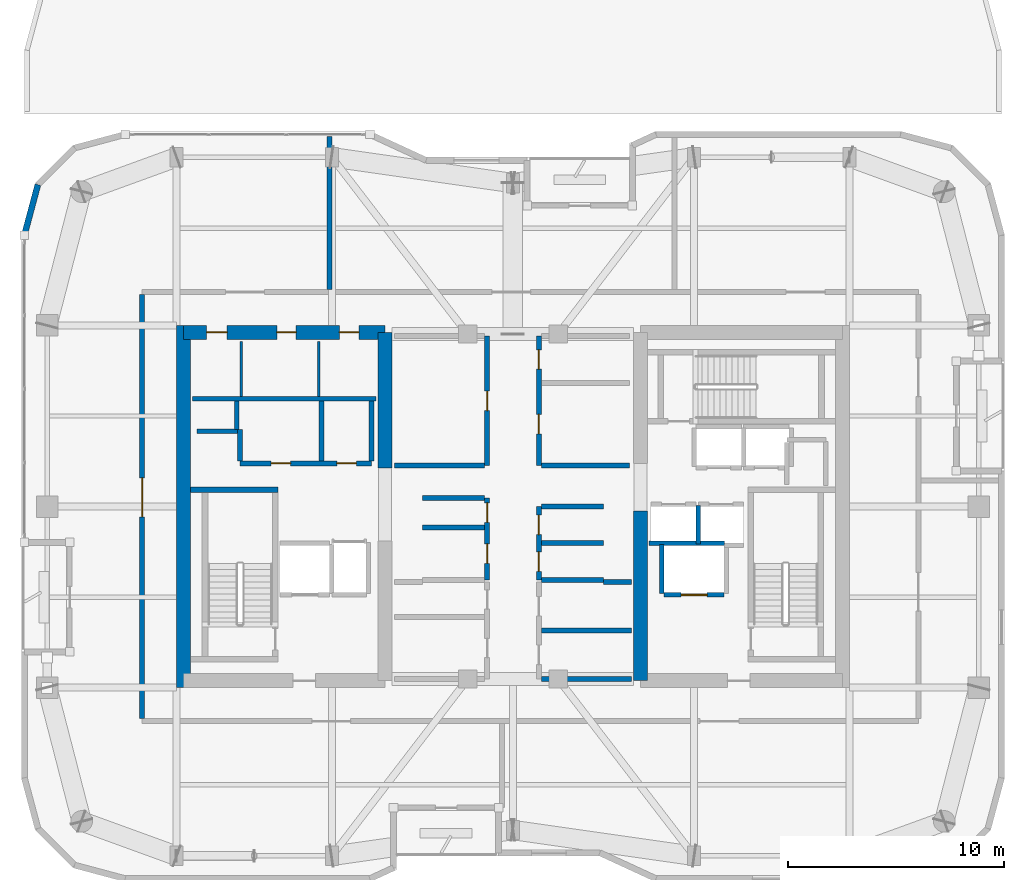
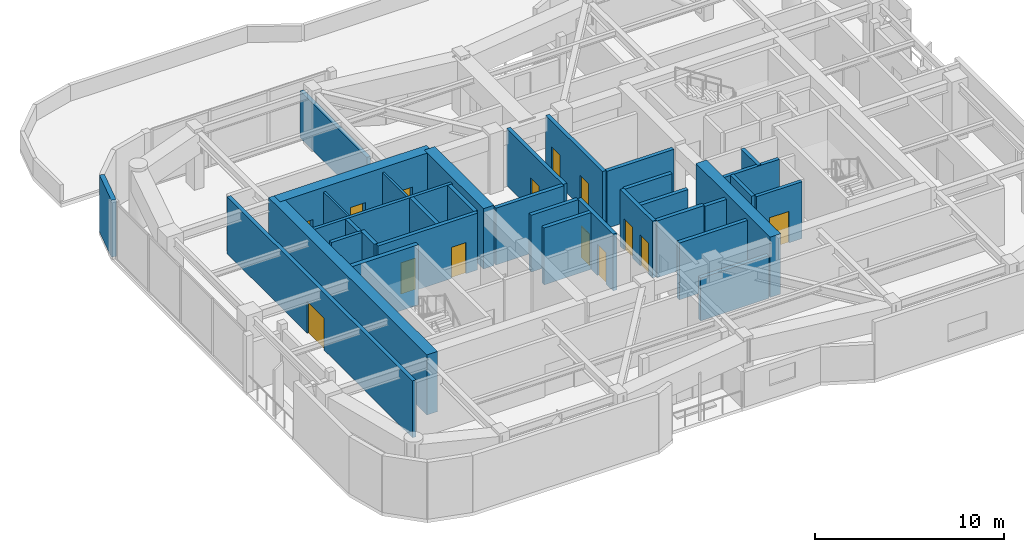
# One storey, part 11 of 16: 35 walls, 14 doors, 14 openings.
"""IFC4 building model written with IfcOpenShell, lengths in metres."""

from ifc_helpers import new_model, si_unit, direction, frame, frame_2d, origin, place, context, subcontext, project, spatial, rectangle, extrude, material, layer, layer_set, type_object, element, fill, save


model = new_model("IFC4")

# Units and contexts
model_context = context("Model", 3, precision=1e-05, world=origin(), true_north=direction((0.0, 1.0)))
body_context = subcontext(model_context, "Body", "Model", "MODEL_VIEW")
ifc_project = project(units=[si_unit("LENGTHUNIT", "METRE"), si_unit("AREAUNIT", "SQUARE_METRE"), si_unit("VOLUMEUNIT", "CUBIC_METRE"), si_unit("PLANEANGLEUNIT", "RADIAN"), si_unit("MASSUNIT", "GRAM", prefix="KILO")], contexts=[model_context])

# Site, building, storey
site_placement = place(None, origin())
site = spatial("IfcSite", under=ifc_project, at=site_placement, CompositionType="ELEMENT")
building_placement = place(site_placement, origin())
building = spatial("IfcBuilding", under=site, at=building_placement, Name="Kiyonajd Concourse Tower", CompositionType="ELEMENT")
storey_placement = place(building_placement, frame((0.0, 0.0, 255.0)))
storey = spatial("IfcBuildingStorey", under=building, at=storey_placement, Name="L64", CompositionType="ELEMENT", Elevation=255.0)

# Walls
ifc_material_1 = material(Name="Concrete C60/75", Category="concrete")
ifc_layer_1 = layer(ifc_material_1, 0.64990234375)
ifc_layer_set_1 = layer_set([ifc_layer_1], Name="Concrete C60/75")
wall_type_1 = type_object("IfcWallType", Name="WL-CORE-650", PredefinedType="SHEAR", material=ifc_layer_set_1)
wall_1_placement = place(storey_placement, frame((32.72509765625, 27.60009765625, 0.0), z_axis=(0.0, 0.0, 1.0), x_axis=(0.0, 1.0, 0.0)))
element("IfcWall", 1, at=wall_1_placement, inside=storey, type_object=wall_type_1, Name="L64 West Core Outer Shear Wall", PredefinedType="SHEAR", context=body_context, shape_type="SweptSolid", body=[
    extrude(rectangle(XDim=16.7998046875, YDim=0.64990234375, at=frame_2d((8.39990234375, 0.0))), origin(), (0.0, 0.0, 1.0), 3.89990234375),
])
wall_2_placement = place(storey_placement, frame((42.074951171875, 37.800048828125, 0.0), z_axis=(0.0, 0.0, 1.0), x_axis=(0.0, 1.0, 0.0)))
element("IfcWall", 2, at=wall_2_placement, inside=storey, type_object=wall_type_1, Name="L64 West Core Inner North Shear Wall", PredefinedType="SHEAR", context=body_context, shape_type="SweptSolid", body=[
    extrude(rectangle(XDim=6.27490234375, YDim=0.64990234375, at=frame_2d((3.137451171875, 0.0))), origin(), (0.0, 0.0, 1.0), 3.89990234375),
])

# Wall, openings, doors
wall_3_placement = place(storey_placement, frame((32.72509765625, 44.074951171875, 0.0), z_axis=(0.0, 0.0, 1.0), x_axis=(1.0, 0.0, 0.0)))
wall_3 = element("IfcWall", 3, at=wall_3_placement, inside=storey, type_object=wall_type_1, Name="L64 West Core North Shear Wall", PredefinedType="SHEAR", context=body_context, shape_type="SweptSolid", body=[
    extrude(rectangle(XDim=9.349853515625, YDim=0.64990234375, at=frame_2d((4.6748046875, 0.0))), origin(), (0.0, 0.0, 1.0), 3.89990234375),
])
opening_1_placement = place(wall_3_placement, frame((1.074951171875, 0.0, 0.0)))
opening_1 = element("IfcOpeningElement", 4, at=opening_1_placement, cuts=wall_3, Name="Opening DI1", PredefinedType="OPENING", context=body_context, shape_type="SweptSolid", body=[
    extrude(rectangle(XDim=0.949951171875, YDim=2.0400390625, at=frame_2d((0.47509765625, 1.02001953125))), frame((0.0, 0.3349609375, 0.0), z_axis=(0.0, -1.0, 0.0), x_axis=(1.0, 0.0, 0.0)), (0.0, 0.0, 1.0), 0.669921875),
])
opening_2_placement = place(wall_3_placement, frame((4.324951171875, 0.0, 0.0)))
opening_2 = element("IfcOpeningElement", 5, at=opening_2_placement, cuts=wall_3, Name="Opening DI2", PredefinedType="OPENING", context=body_context, shape_type="SweptSolid", body=[
    extrude(rectangle(XDim=0.89990234375, YDim=2.02001953125, at=frame_2d((0.449951171875, 1.010009765625))), frame((0.0, 0.3349609375, 0.0), z_axis=(0.0, -1.0, 0.0), x_axis=(1.0, 0.0, 0.0)), (0.0, 0.0, 1.0), 0.669921875),
])
opening_3_placement = place(wall_3_placement, frame((7.22509765625, 0.0, 0.0)))
opening_3 = element("IfcOpeningElement", 6, at=opening_3_placement, cuts=wall_3, Name="Opening DI2", PredefinedType="OPENING", context=body_context, shape_type="SweptSolid", body=[
    extrude(rectangle(XDim=0.89990234375, YDim=2.02001953125, at=frame_2d((0.449951171875, 1.010009765625))), frame((0.0, 0.3349609375, 0.0), z_axis=(0.0, -1.0, 0.0), x_axis=(1.0, 0.0, 0.0)), (0.0, 0.0, 1.0), 0.669921875),
])
ifc_material_2 = material(Name="Natural Oak Acoustic Timber Veneer", Category="wood")
door_type_1 = type_object("IfcDoorType", Name="DR-INT-900", OperationType="NOTDEFINED", PredefinedType="DOOR", material=ifc_material_2)
door_1_placement = place(opening_2_placement, origin())
door_1 = element("IfcDoor", 7, at=door_1_placement, inside=storey, type_object=door_type_1, Name="L64 Male Restroom Door", OperationType="SINGLE_SWING_RIGHT", OverallHeight=2.02001953125, OverallWidth=0.89990234375, PredefinedType="DOOR", context=body_context, shape_type="SweptSolid", body=[
    extrude(rectangle(XDim=0.89990234375, YDim=2.02001953125, at=frame_2d((0.449951171875, 1.010009765625))), frame((0.0, 0.02490234375, 0.0), z_axis=(0.0, -1.0, 0.0), x_axis=(1.0, 0.0, 0.0)), (0.0, 0.0, 1.0), 0.050048828125),
])
fill(opening_2, door_1)
door_2_placement = place(opening_3_placement, origin())
door_2 = element("IfcDoor", 8, at=door_2_placement, inside=storey, type_object=door_type_1, Name="L64 Female Restroom Door", OperationType="SINGLE_SWING_LEFT", OverallHeight=2.02001953125, OverallWidth=0.89990234375, PredefinedType="DOOR", context=body_context, shape_type="SweptSolid", body=[
    extrude(rectangle(XDim=0.89990234375, YDim=2.02001953125, at=frame_2d((0.449951171875, 1.010009765625))), frame((0.0, 0.02490234375, 0.0), z_axis=(0.0, -1.0, 0.0), x_axis=(1.0, 0.0, 0.0)), (0.0, 0.0, 1.0), 0.050048828125),
])
fill(opening_3, door_2)
door_type_2 = type_object("IfcDoorType", Name="DR-INT-950", OperationType="NOTDEFINED", PredefinedType="DOOR", material=ifc_material_2)
door_3_placement = place(opening_1_placement, origin())
door_3 = element("IfcDoor", 9, at=door_3_placement, inside=storey, type_object=door_type_2, Name="L64 Single User Accessible WC Door", OperationType="SINGLE_SWING_LEFT", OverallHeight=2.0400390625, OverallWidth=0.949951171875, PredefinedType="DOOR", context=body_context, shape_type="SweptSolid", body=[
    extrude(rectangle(XDim=0.949951171875, YDim=2.0400390625, at=frame_2d((0.47509765625, 1.02001953125))), frame((0.0, 0.02490234375, 0.0), z_axis=(0.0, -1.0, 0.0), x_axis=(1.0, 0.0, 0.0)), (0.0, 0.0, 1.0), 0.050048828125),
])
fill(opening_1, door_3)

# Walls
wall_4_placement = place(storey_placement, frame((53.925048828125, 27.925048828125, 0.0), z_axis=(0.0, 0.0, 1.0), x_axis=(0.0, 1.0, 0.0)))
element("IfcWall", 10, at=wall_4_placement, inside=storey, type_object=wall_type_1, Name="L64 East Core Inner South Shear Wall", PredefinedType="SHEAR", context=body_context, shape_type="SweptSolid", body=[
    extrude(rectangle(XDim=7.875, YDim=0.64990234375, at=frame_2d((3.9375, 0.0))), origin(), (0.0, 0.0, 1.0), 3.89990234375),
])
ifc_material_3 = material(Name="Precast concrete C50/60", Category="concrete")
ifc_layer_2 = layer(ifc_material_3, 0.280029296875)
ifc_layer_set_2 = layer_set([ifc_layer_2], Name="Precast concrete C50/60")
wall_type_2 = type_object("IfcWallType", Name="WL-EXT-280", PredefinedType="SOLIDWALL", material=ifc_layer_set_2)
wall_5_placement = place(storey_placement, frame((25.340087890625, 48.58154296875, 0.0), z_axis=(0.0, 0.0, 1.0), x_axis=(0.258751159445, 0.965944013639, 0.0)))
element("IfcWall", 11, at=wall_5_placement, inside=storey, type_object=wall_type_2, Name="L64 Exterior Concrete Frame Wall 06", PredefinedType="SOLIDWALL", context=body_context, shape_type="SweptSolid", body=[
    extrude(rectangle(XDim=2.4287109375, YDim=0.280029296875, at=frame_2d((1.21435546875, 0.0))), origin(), (0.0, 0.0, 1.0), 3.679931640625),
])

# Wall, openings, doors
ifc_material_4 = material(Name="Gypsum Board on Cold-Formed Steel Stud", Category="steel")
ifc_layer_3 = layer(ifc_material_4, 0.22998046875)
ifc_layer_set_3 = layer_set([ifc_layer_3], Name="Gypsum Board on Cold-Formed Steel Stud")
wall_type_3 = type_object("IfcWallType", Name="WL-FIRE-230", PredefinedType="PARTITIONING", material=ifc_layer_set_3)
wall_6_placement = place(storey_placement, frame((35.35009765625, 38.0, 0.0), z_axis=(0.0, 0.0, 1.0), x_axis=(1.0, 0.0, 0.0)))
wall_6 = element("IfcWall", 12, at=wall_6_placement, inside=storey, type_object=wall_type_3, Name="L64 Interior Partition Wall", PredefinedType="PARTITIONING", context=body_context, shape_type="SweptSolid", body=[
    extrude(rectangle(XDim=6.099853515625, YDim=0.22998046875, at=frame_2d((3.0498046875, 0.0))), origin(), (0.0, 0.0, 1.0), 3.679931640625),
])
opening_4_placement = place(wall_6_placement, frame((1.44091796875, 0.0, 0.0)))
opening_4 = element("IfcOpeningElement", 13, at=opening_4_placement, cuts=wall_6, Name="Opening DF4", PredefinedType="OPENING", context=body_context, shape_type="SweptSolid", body=[
    extrude(rectangle(XDim=0.89990234375, YDim=2.02001953125, at=frame_2d((0.449951171875, 1.010009765625))), frame((0.0, 0.125, 0.0), z_axis=(0.0, -1.0, 0.0), x_axis=(1.0, 0.0, 0.0)), (0.0, 0.0, 1.0), 0.25),
])
opening_5_placement = place(wall_6_placement, frame((4.490966796875, 0.0, 0.0)))
opening_5 = element("IfcOpeningElement", 14, at=opening_5_placement, cuts=wall_6, Name="Opening DF4", PredefinedType="OPENING", context=body_context, shape_type="SweptSolid", body=[
    extrude(rectangle(XDim=0.89990234375, YDim=2.02001953125, at=frame_2d((0.449951171875, 1.010009765625))), frame((0.0, 0.125, 0.0), z_axis=(0.0, -1.0, 0.0), x_axis=(1.0, 0.0, 0.0)), (0.0, 0.0, 1.0), 0.25),
])
ifc_material_5 = material(Name="Brushed Stainless Steel Cab Assembly", Category="steel")
door_type_3 = type_object("IfcDoorType", Name="DR-FD60-900", OperationType="NOTDEFINED", PredefinedType="DOOR", material=ifc_material_5)
door_4_placement = place(opening_4_placement, origin())
door_4 = element("IfcDoor", 15, at=door_4_placement, inside=storey, type_object=door_type_3, Name="L64 Interior Door", OperationType="SINGLE_SWING_RIGHT", OverallHeight=2.02001953125, OverallWidth=0.89990234375, PredefinedType="DOOR", context=body_context, shape_type="SweptSolid", body=[
    extrude(rectangle(XDim=0.89990234375, YDim=2.02001953125, at=frame_2d((0.449951171875, 1.010009765625))), frame((0.0, 0.02490234375, 0.0), z_axis=(0.0, -1.0, 0.0), x_axis=(1.0, 0.0, 0.0)), (0.0, 0.0, 1.0), 0.050048828125),
])
fill(opening_4, door_4)
door_5_placement = place(opening_5_placement, origin())
door_5 = element("IfcDoor", 16, at=door_5_placement, inside=storey, type_object=door_type_3, Name="L64 Interior Door", OperationType="SINGLE_SWING_LEFT", OverallHeight=2.02001953125, OverallWidth=0.89990234375, PredefinedType="DOOR", context=body_context, shape_type="SweptSolid", body=[
    extrude(rectangle(XDim=0.89990234375, YDim=2.02001953125, at=frame_2d((0.449951171875, 1.010009765625))), frame((0.0, 0.02490234375, 0.0), z_axis=(0.0, -1.0, 0.0), x_axis=(1.0, 0.0, 0.0)), (0.0, 0.0, 1.0), 0.050048828125),
])
fill(opening_5, door_5)

# Walls
wall_7_placement = place(storey_placement, frame((35.35009765625, 38.116943359375, 0.0), z_axis=(0.0, 0.0, 1.0), x_axis=(0.0, 1.0, 0.0)))
element("IfcWall", 17, at=wall_7_placement, inside=storey, type_object=wall_type_3, Name="L64 Interior Partition Wall", PredefinedType="PARTITIONING", context=body_context, shape_type="SweptSolid", body=[
    extrude(rectangle(XDim=1.463134765625, YDim=0.22998046875, at=frame_2d((0.7314453125, 0.0))), origin(), (0.0, 0.0, 1.0), 3.679931640625),
])
for number, where, z_axis, x_axis, name in (
    (18, (41.449951171875, 38.116943359375, 0.0), (0.0, 0.0, 1.0), (0.0, 1.0, 0.0), "L64 Interior Partition Wall"),
    (19, (39.132080078125, 38.116943359375, 0.0), (0.0, 0.0, 1.0), (0.0, 1.0, 0.0), "L64 Interior Partition Wall"),
):
    element("IfcWall", number, at=place(storey_placement, frame(where, z_axis=z_axis, x_axis=x_axis)), inside=storey, type_object=wall_type_3, Name=name, PredefinedType="PARTITIONING", context=body_context, shape_type="SweptSolid", body=[
        extrude(rectangle(XDim=2.782958984375, YDim=0.22998046875, at=frame_2d((1.3916015625, 0.0))), origin(), (0.0, 0.0, 1.0), 3.679931640625),
    ])

# Wall, openings, doors
wall_8_placement = place(storey_placement, frame((46.800048828125, 32.60009765625, 0.0), z_axis=(0.0, 0.0, 1.0), x_axis=(0.0, 1.0, 0.0)))
wall_8 = element("IfcWall", 20, at=wall_8_placement, inside=storey, type_object=wall_type_3, Name="L64 Interior Partition Wall", PredefinedType="PARTITIONING", context=body_context, shape_type="SweptSolid", body=[
    extrude(rectangle(XDim=3.7998046875, YDim=0.22998046875, at=frame_2d((1.89990234375, 0.0))), origin(), (0.0, 0.0, 1.0), 3.679931640625),
])
opening_6_placement = place(wall_8_placement, frame((0.76611328125, 0.0, 0.0)))
opening_6 = element("IfcOpeningElement", 21, at=opening_6_placement, cuts=wall_8, Name="Opening DF4", PredefinedType="OPENING", context=body_context, shape_type="SweptSolid", body=[
    extrude(rectangle(XDim=0.89990234375, YDim=2.02001953125, at=frame_2d((0.449951171875, 1.010009765625))), frame((0.0, 0.125, 0.0), z_axis=(0.0, -1.0, 0.0), x_axis=(1.0, 0.0, 0.0)), (0.0, 0.0, 1.0), 0.25),
])
opening_7_placement = place(wall_8_placement, frame((2.666015625, 0.0, 0.0)))
opening_7 = element("IfcOpeningElement", 22, at=opening_7_placement, cuts=wall_8, Name="Opening DF4", PredefinedType="OPENING", context=body_context, shape_type="SweptSolid", body=[
    extrude(rectangle(XDim=0.89990234375, YDim=2.02001953125, at=frame_2d((0.449951171875, 1.010009765625))), frame((0.0, 0.125, 0.0), z_axis=(0.0, -1.0, 0.0), x_axis=(1.0, 0.0, 0.0)), (0.0, 0.0, 1.0), 0.25),
])
door_6_placement = place(opening_6_placement, origin())
door_6 = element("IfcDoor", 23, at=door_6_placement, inside=storey, type_object=door_type_3, Name="L64 Interior Door", OperationType="SINGLE_SWING_RIGHT", OverallHeight=2.02001953125, OverallWidth=0.89990234375, PredefinedType="DOOR", context=body_context, shape_type="SweptSolid", body=[
    extrude(rectangle(XDim=0.89990234375, YDim=2.02001953125, at=frame_2d((0.449951171875, 1.010009765625))), frame((0.0, 0.02490234375, 0.0), z_axis=(0.0, -1.0, 0.0), x_axis=(1.0, 0.0, 0.0)), (0.0, 0.0, 1.0), 0.050048828125),
])
fill(opening_6, door_6)
door_7_placement = place(opening_7_placement, origin())
door_7 = element("IfcDoor", 24, at=door_7_placement, inside=storey, type_object=door_type_3, Name="L64 Interior Door", OperationType="SINGLE_SWING_LEFT", OverallHeight=2.02001953125, OverallWidth=0.89990234375, PredefinedType="DOOR", context=body_context, shape_type="SweptSolid", body=[
    extrude(rectangle(XDim=0.89990234375, YDim=2.02001953125, at=frame_2d((0.449951171875, 1.010009765625))), frame((0.0, 0.02490234375, 0.0), z_axis=(0.0, -1.0, 0.0), x_axis=(1.0, 0.0, 0.0)), (0.0, 0.0, 1.0), 0.050048828125),
])
fill(opening_7, door_7)

# Walls
for number, where, z_axis, x_axis, name in (
    (25, (43.800048828125, 36.39990234375, 0.0), (0.0, 0.0, 1.0), (1.0, 0.0, 0.0), "L64 Interior Partition Wall"),
    (26, (43.800048828125, 35.031982421875, 0.0), (0.0, 0.0, 1.0), (1.0, 0.0, 0.0), "L64 Interior Partition Wall"),
):
    element("IfcWall", number, at=place(storey_placement, frame(where, z_axis=z_axis, x_axis=x_axis)), inside=storey, type_object=wall_type_3, Name=name, PredefinedType="PARTITIONING", context=body_context, shape_type="SweptSolid", body=[
        extrude(rectangle(XDim=2.883056640625, YDim=0.22998046875, at=frame_2d((1.44140625, 0.0))), origin(), (0.0, 0.0, 1.0), 3.679931640625),
    ])

# Wall, openings, doors
wall_9_placement = place(storey_placement, frame((49.199951171875, 32.60009765625, 0.0), z_axis=(0.0, 0.0, 1.0), x_axis=(0.0, 1.0, 0.0)))
wall_9 = element("IfcWall", 27, at=wall_9_placement, inside=storey, type_object=wall_type_3, Name="L64 Interior Partition Wall", PredefinedType="PARTITIONING", context=body_context, shape_type="SweptSolid", body=[
    extrude(rectangle(XDim=3.39990234375, YDim=0.22998046875, at=frame_2d((1.699951171875, 0.0))), origin(), (0.0, 0.0, 1.0), 3.679931640625),
])
opening_8_placement = place(wall_9_placement, frame((0.39990234375, 0.0, 0.0)))
opening_8 = element("IfcOpeningElement", 28, at=opening_8_placement, cuts=wall_9, Name="Opening DI2", PredefinedType="OPENING", context=body_context, shape_type="SweptSolid", body=[
    extrude(rectangle(XDim=0.89990234375, YDim=2.02001953125, at=frame_2d((0.449951171875, 1.010009765625))), frame((0.0, 0.125, 0.0), z_axis=(0.0, -1.0, 0.0), x_axis=(1.0, 0.0, 0.0)), (0.0, 0.0, 1.0), 0.25),
])
opening_9_placement = place(wall_9_placement, frame((2.10009765625, 0.0, 0.0)))
opening_9 = element("IfcOpeningElement", 29, at=opening_9_placement, cuts=wall_9, Name="Opening DI2", PredefinedType="OPENING", context=body_context, shape_type="SweptSolid", body=[
    extrude(rectangle(XDim=0.89990234375, YDim=2.02001953125, at=frame_2d((0.449951171875, 1.010009765625))), frame((0.0, 0.125, 0.0), z_axis=(0.0, -1.0, 0.0), x_axis=(1.0, 0.0, 0.0)), (0.0, 0.0, 1.0), 0.25),
])
door_8_placement = place(opening_8_placement, origin())
door_8 = element("IfcDoor", 30, at=door_8_placement, inside=storey, type_object=door_type_1, Name="L64 Interior Door", OperationType="SINGLE_SWING_RIGHT", OverallHeight=2.02001953125, OverallWidth=0.89990234375, PredefinedType="DOOR", context=body_context, shape_type="SweptSolid", body=[
    extrude(rectangle(XDim=0.89990234375, YDim=2.02001953125, at=frame_2d((0.449951171875, 1.010009765625))), frame((0.0, 0.02490234375, 0.0), z_axis=(0.0, -1.0, 0.0), x_axis=(1.0, 0.0, 0.0)), (0.0, 0.0, 1.0), 0.050048828125),
])
fill(opening_8, door_8)
door_9_placement = place(opening_9_placement, origin())
door_9 = element("IfcDoor", 31, at=door_9_placement, inside=storey, type_object=door_type_1, Name="L64 Interior Door", OperationType="SINGLE_SWING_LEFT", OverallHeight=2.02001953125, OverallWidth=0.89990234375, PredefinedType="DOOR", context=body_context, shape_type="SweptSolid", body=[
    extrude(rectangle(XDim=0.89990234375, YDim=2.02001953125, at=frame_2d((0.449951171875, 1.010009765625))), frame((0.0, 0.02490234375, 0.0), z_axis=(0.0, -1.0, 0.0), x_axis=(1.0, 0.0, 0.0)), (0.0, 0.0, 1.0), 0.050048828125),
])
fill(opening_9, door_9)

# Walls
for number, where, z_axis, x_axis, name in (
    (32, (49.31689453125, 32.60009765625, 0.0), (0.0, 0.0, 1.0), (1.0, 0.0, 0.0), "L64 Interior Partition Wall"),
    (33, (49.31689453125, 36.0, 0.0), (0.0, 0.0, 1.0), (1.0, 0.0, 0.0), "L64 Interior Partition Wall"),
    (34, (49.31689453125, 34.300048828125, 0.0), (0.0, 0.0, 1.0), (1.0, 0.0, 0.0), "L64 Interior Partition Wall"),
):
    element("IfcWall", number, at=place(storey_placement, frame(where, z_axis=z_axis, x_axis=x_axis)), inside=storey, type_object=wall_type_3, Name=name, PredefinedType="PARTITIONING", context=body_context, shape_type="SweptSolid", body=[
        extrude(rectangle(XDim=2.883056640625, YDim=0.22998046875, at=frame_2d((1.44140625, 0.0))), origin(), (0.0, 0.0, 1.0), 3.679931640625),
    ])
wall_10_placement = place(storey_placement, frame((49.31689453125, 28.0, 0.0), z_axis=(0.0, 0.0, 1.0), x_axis=(1.0, 0.0, 0.0)))
element("IfcWall", 35, at=wall_10_placement, inside=storey, type_object=wall_type_3, Name="L64 Interior Partition Wall", PredefinedType="PARTITIONING", context=body_context, shape_type="SweptSolid", body=[
    extrude(rectangle(XDim=4.18310546875, YDim=0.22998046875, at=frame_2d((2.091552734375, 0.0))), origin(), (0.0, 0.0, 1.0), 2.764892578125),
])
wall_11_placement = place(storey_placement, frame((52.199951171875, 32.5, 0.0), z_axis=(0.0, 0.0, 1.0), x_axis=(1.0, 0.0, 0.0)))
element("IfcWall", 36, at=wall_11_placement, inside=storey, type_object=wall_type_3, Name="L64 Interior Partition Wall", PredefinedType="PARTITIONING", context=body_context, shape_type="SweptSolid", body=[
    extrude(rectangle(XDim=1.300048828125, YDim=0.22998046875, at=frame_2d((0.64990234375, 0.0))), origin(), (0.0, 0.0, 1.0), 3.679931640625),
])
wall_12_placement = place(storey_placement, frame((49.31689453125, 30.25, 0.0), z_axis=(0.0, 0.0, 1.0), x_axis=(1.0, 0.0, 0.0)))
element("IfcWall", 37, at=wall_12_placement, inside=storey, type_object=wall_type_3, Name="L64 Interior Partition Wall", PredefinedType="PARTITIONING", context=body_context, shape_type="SweptSolid", body=[
    extrude(rectangle(XDim=4.18310546875, YDim=0.22998046875, at=frame_2d((2.091552734375, 0.0))), origin(), (0.0, 0.0, 1.0), 3.679931640625),
])

# Wall, opening, door
wall_13_placement = place(storey_placement, frame((46.800048828125, 37.89990234375, 0.0), z_axis=(0.0, 0.0, 1.0), x_axis=(0.0, 1.0, 0.0)))
wall_13 = element("IfcWall", 38, at=wall_13_placement, inside=storey, type_object=wall_type_3, Name="L64 Interior Partition Wall", PredefinedType="PARTITIONING", context=body_context, shape_type="SweptSolid", body=[
    extrude(rectangle(XDim=6.0, YDim=0.22998046875, at=frame_2d((3.0, 0.0))), origin(), (0.0, 0.0, 1.0), 3.679931640625),
])
opening_10_placement = place(wall_13_placement, frame((2.550048828125, 0.0, 0.0)))
opening_10 = element("IfcOpeningElement", 39, at=opening_10_placement, cuts=wall_13, Name="Opening DI2", PredefinedType="OPENING", context=body_context, shape_type="SweptSolid", body=[
    extrude(rectangle(XDim=0.89990234375, YDim=2.02001953125, at=frame_2d((0.449951171875, 1.010009765625))), frame((0.0, 0.125, 0.0), z_axis=(0.0, -1.0, 0.0), x_axis=(1.0, 0.0, 0.0)), (0.0, 0.0, 1.0), 0.25),
])
door_10_placement = place(opening_10_placement, origin())
door_10 = element("IfcDoor", 40, at=door_10_placement, inside=storey, type_object=door_type_1, Name="L64 Interior Door", OperationType="SINGLE_SWING_RIGHT", OverallHeight=2.02001953125, OverallWidth=0.89990234375, PredefinedType="DOOR", context=body_context, shape_type="SweptSolid", body=[
    extrude(rectangle(XDim=0.89990234375, YDim=2.02001953125, at=frame_2d((0.449951171875, 1.010009765625))), frame((0.0, 0.02490234375, 0.0), z_axis=(0.0, -1.0, 0.0), x_axis=(1.0, 0.0, 0.0)), (0.0, 0.0, 1.0), 0.050048828125),
])
fill(opening_10, door_10)

# Wall
wall_14_placement = place(storey_placement, frame((42.5, 37.89990234375, 0.0), z_axis=(0.0, 0.0, 1.0), x_axis=(1.0, 0.0, 0.0)))
element("IfcWall", 41, at=wall_14_placement, inside=storey, type_object=wall_type_3, Name="L64 Interior Partition Wall", PredefinedType="PARTITIONING", context=body_context, shape_type="SweptSolid", body=[
    extrude(rectangle(XDim=4.18310546875, YDim=0.22998046875, at=frame_2d((2.091552734375, 0.0))), origin(), (0.0, 0.0, 1.0), 3.679931640625),
])

# Wall, openings, doors
wall_15_placement = place(storey_placement, frame((49.199951171875, 37.89990234375, 0.0), z_axis=(0.0, 0.0, 1.0), x_axis=(0.0, 1.0, 0.0)))
wall_15 = element("IfcWall", 42, at=wall_15_placement, inside=storey, type_object=wall_type_3, Name="L64 Interior Partition Wall", PredefinedType="PARTITIONING", context=body_context, shape_type="SweptSolid", body=[
    extrude(rectangle(XDim=6.0, YDim=0.22998046875, at=frame_2d((3.0, 0.0))), origin(), (0.0, 0.0, 1.0), 3.679931640625),
])
opening_11_placement = place(wall_15_placement, frame((1.469970703125, 0.0, 0.0)))
opening_11 = element("IfcOpeningElement", 43, at=opening_11_placement, cuts=wall_15, Name="Opening DF4", PredefinedType="OPENING", context=body_context, shape_type="SweptSolid", body=[
    extrude(rectangle(XDim=0.89990234375, YDim=2.02001953125, at=frame_2d((0.449951171875, 1.010009765625))), frame((0.0, 0.125, 0.0), z_axis=(0.0, -1.0, 0.0), x_axis=(1.0, 0.0, 0.0)), (0.0, 0.0, 1.0), 0.25),
])
opening_12_placement = place(wall_15_placement, frame((4.469970703125, 0.0, 0.0)))
opening_12 = element("IfcOpeningElement", 44, at=opening_12_placement, cuts=wall_15, Name="Opening DF4", PredefinedType="OPENING", context=body_context, shape_type="SweptSolid", body=[
    extrude(rectangle(XDim=0.89990234375, YDim=2.02001953125, at=frame_2d((0.449951171875, 1.010009765625))), frame((0.0, 0.125, 0.0), z_axis=(0.0, -1.0, 0.0), x_axis=(1.0, 0.0, 0.0)), (0.0, 0.0, 1.0), 0.25),
])
door_11_placement = place(opening_11_placement, origin())
door_11 = element("IfcDoor", 45, at=door_11_placement, inside=storey, type_object=door_type_3, Name="L64 Interior Door", OperationType="SINGLE_SWING_LEFT", OverallHeight=2.02001953125, OverallWidth=0.89990234375, PredefinedType="DOOR", context=body_context, shape_type="SweptSolid", body=[
    extrude(rectangle(XDim=0.89990234375, YDim=2.02001953125, at=frame_2d((0.449951171875, 1.010009765625))), frame((0.0, 0.02490234375, 0.0), z_axis=(0.0, -1.0, 0.0), x_axis=(1.0, 0.0, 0.0)), (0.0, 0.0, 1.0), 0.050048828125),
])
fill(opening_11, door_11)
door_12_placement = place(opening_12_placement, origin())
door_12 = element("IfcDoor", 46, at=door_12_placement, inside=storey, type_object=door_type_3, Name="L64 Interior Door", OperationType="SINGLE_SWING_RIGHT", OverallHeight=2.02001953125, OverallWidth=0.89990234375, PredefinedType="DOOR", context=body_context, shape_type="SweptSolid", body=[
    extrude(rectangle(XDim=0.89990234375, YDim=2.02001953125, at=frame_2d((0.449951171875, 1.010009765625))), frame((0.0, 0.02490234375, 0.0), z_axis=(0.0, -1.0, 0.0), x_axis=(1.0, 0.0, 0.0)), (0.0, 0.0, 1.0), 0.050048828125),
])
fill(opening_12, door_12)

# Wall
wall_16_placement = place(storey_placement, frame((49.31689453125, 37.89990234375, 0.0), z_axis=(0.0, 0.0, 1.0), x_axis=(1.0, 0.0, 0.0)))
element("IfcWall", 47, at=wall_16_placement, inside=storey, type_object=wall_type_3, Name="L64 Interior Partition Wall", PredefinedType="PARTITIONING", context=body_context, shape_type="SweptSolid", body=[
    extrude(rectangle(XDim=4.0830078125, YDim=0.22998046875, at=frame_2d((2.04150390625, 0.0))), origin(), (0.0, 0.0, 1.0), 3.679931640625),
])

# Wall, opening, door
wall_17_placement = place(storey_placement, frame((30.800048828125, 26.1669921875, 0.0), z_axis=(0.0, 0.0, 1.0), x_axis=(0.0, 1.0, 0.0)))
wall_17 = element("IfcWall", 48, at=wall_17_placement, inside=storey, type_object=wall_type_3, Name="L64 Interior Partition Wall", PredefinedType="PARTITIONING", context=body_context, shape_type="SweptSolid", body=[
    extrude(rectangle(XDim=19.666015625, YDim=0.22998046875, at=frame_2d((9.8330078125, 0.0))), origin(), (0.0, 0.0, 1.0), 3.679931640625),
])
opening_13_placement = place(wall_17_placement, frame((9.35791015625, 0.0, 0.0)))
opening_13 = element("IfcOpeningElement", 49, at=opening_13_placement, cuts=wall_17, Name="Opening DI3", PredefinedType="OPENING", context=body_context, shape_type="SweptSolid", body=[
    extrude(rectangle(XDim=1.800048828125, YDim=2.06005859375, at=frame_2d((0.89990234375, 1.030029296875))), frame((0.0, 0.125, 0.0), z_axis=(0.0, -1.0, 0.0), x_axis=(1.0, 0.0, 0.0)), (0.0, 0.0, 1.0), 0.25),
])
door_type_4 = type_object("IfcDoorType", Name="DR-PAIR-1800", OperationType="DOUBLE_DOOR_SINGLE_SWING", PredefinedType="DOOR", material=ifc_material_5)
door_13_placement = place(opening_13_placement, origin())
door_13 = element("IfcDoor", 50, at=door_13_placement, inside=storey, type_object=door_type_4, Name="L64 Interior Door", OperationType="DOUBLE_DOOR_SINGLE_SWING", OverallHeight=2.06005859375, OverallWidth=1.800048828125, PredefinedType="DOOR", context=body_context, shape_type="SweptSolid", body=[
    extrude(rectangle(XDim=1.800048828125, YDim=2.06005859375, at=frame_2d((0.89990234375, 1.030029296875))), frame((0.0, 0.02490234375, 0.0), z_axis=(0.0, -1.0, 0.0), x_axis=(1.0, 0.0, 0.0)), (0.0, 0.0, 1.0), 0.050048828125),
])
fill(opening_13, door_13)

# Walls
wall_18_placement = place(storey_placement, frame((39.5, 46.06689453125, 0.0), z_axis=(0.0, 0.0, 1.0), x_axis=(0.0, 1.0, 0.0)))
element("IfcWall", 51, at=wall_18_placement, inside=storey, type_object=wall_type_3, Name="L64 Interior Partition Wall", PredefinedType="PARTITIONING", context=body_context, shape_type="SweptSolid", body=[
    extrude(rectangle(XDim=7.09814453125, YDim=0.22998046875, at=frame_2d((3.549072265625, 0.0))), origin(), (0.0, 0.0, 1.0), 3.04296875),
])
ifc_layer_4 = layer(ifc_material_4, 0.125)
ifc_layer_set_4 = layer_set([ifc_layer_4], Name="Gypsum Board on Cold-Formed Steel Stud")
wall_type_4 = type_object("IfcWallType", Name="WL-PART-125", PredefinedType="PARTITIONING", material=ifc_layer_set_4)
for number, where, z_axis, x_axis, name in (
    (52, (35.39990234375, 41.094970703125, 0.0), (0.0, 0.0, 1.0), (0.0, 1.0, 0.0), "L64 Interior Partition Wall"),
    (53, (39.0, 41.094970703125, 0.0), (0.0, 0.0, 1.0), (0.0, 1.0, 0.0), "L64 Interior Partition Wall"),
):
    element("IfcWall", number, at=place(storey_placement, frame(where, z_axis=z_axis, x_axis=x_axis)), inside=storey, type_object=wall_type_4, Name=name, PredefinedType="PARTITIONING", context=body_context, shape_type="SweptSolid", body=[
        extrude(rectangle(XDim=2.554931640625, YDim=0.125, at=frame_2d((1.27734375, 0.0))), origin(), (0.0, 0.0, 1.0), 3.679931640625),
    ])
ifc_layer_5 = layer(ifc_material_4, 0.18994140625)
ifc_layer_set_5 = layer_set([ifc_layer_5], Name="Gypsum Board on Cold-Formed Steel Stud")
wall_type_5 = type_object("IfcWallType", Name="WL-PLMB-190", PredefinedType="PLUMBINGWALL", material=ifc_layer_set_5)
wall_19_placement = place(storey_placement, frame((33.14990234375, 41.0, 0.0), z_axis=(0.0, 0.0, 1.0), x_axis=(1.0, 0.0, 0.0)))
element("IfcWall", 54, at=wall_19_placement, inside=storey, type_object=wall_type_5, Name="L64 Interior Partition Wall", PredefinedType="PLUMBINGWALL", context=body_context, shape_type="SweptSolid", body=[
    extrude(rectangle(XDim=8.5, YDim=0.18994140625, at=frame_2d((4.25, 0.0))), origin(), (0.0, 0.0, 1.0), 3.679931640625),
])
ifc_layer_6 = layer(ifc_material_4, 0.2099609375)
ifc_layer_set_6 = layer_set([ifc_layer_6], Name="Gypsum Board on Cold-Formed Steel Stud")
wall_type_6 = type_object("IfcWallType", Name="WL-SHAFT-210", PredefinedType="PARTITIONING", material=ifc_layer_set_6)
wall_20_placement = place(storey_placement, frame((33.360107421875, 39.5, 0.0), z_axis=(0.0, 0.0, 1.0), x_axis=(1.0, 0.0, 0.0)))
element("IfcWall", 55, at=wall_20_placement, inside=storey, type_object=wall_type_6, Name="L64 Shaft Enclosure Wall", PredefinedType="PARTITIONING", context=body_context, shape_type="SweptSolid", body=[
    extrude(rectangle(XDim=1.85986328125, YDim=0.2099609375, at=frame_2d((0.929931640625, 0.0))), origin(), (0.0, 0.0, 1.0), 3.679931640625),
])
wall_21_placement = place(storey_placement, frame((35.199951171875, 39.580078125, 0.0), z_axis=(0.0, 0.0, 1.0), x_axis=(0.0, 1.0, 0.0)))
element("IfcWall", 56, at=wall_21_placement, inside=storey, type_object=wall_type_6, Name="L64 Shaft Enclosure Wall", PredefinedType="PARTITIONING", context=body_context, shape_type="SweptSolid", body=[
    extrude(rectangle(XDim=1.31982421875, YDim=0.2099609375, at=frame_2d((0.659912109375, 0.0))), origin(), (0.0, 0.0, 1.0), 3.679931640625),
])

# Wall, opening, door
wall_22_placement = place(storey_placement, frame((55.0, 31.89990234375, 0.0), z_axis=(0.0, 0.0, 1.0), x_axis=(1.0, 0.0, 0.0)))
wall_22 = element("IfcWall", 57, at=wall_22_placement, inside=storey, type_object=wall_type_6, Name="L64 Shaft Enclosure Wall", PredefinedType="PARTITIONING", context=body_context, shape_type="SweptSolid", body=[
    extrude(rectangle(XDim=2.800048828125, YDim=0.2099609375, at=frame_2d((1.39990234375, 0.0))), origin(), (0.0, 0.0, 1.0), 3.679931640625),
])
opening_14_placement = place(wall_22_placement, frame((0.800048828125, 0.0, 0.0)))
opening_14 = element("IfcOpeningElement", 58, at=opening_14_placement, cuts=wall_22, Name="Opening LD2", PredefinedType="OPENING", context=body_context, shape_type="SweptSolid", body=[
    extrude(rectangle(XDim=1.199951171875, YDim=2.0400390625, at=frame_2d((0.60009765625, 1.02001953125))), frame((0.0, 0.114990234375, 0.0), z_axis=(0.0, -1.0, 0.0), x_axis=(1.0, 0.0, 0.0)), (0.0, 0.0, 1.0), 0.22998046875),
])
door_type_5 = type_object("IfcDoorType", Name="DR-LD-1200", OperationType="DOUBLE_DOOR_SLIDING", PredefinedType="DOOR", material=ifc_material_5)
door_14_placement = place(opening_14_placement, origin())
door_14 = element("IfcDoor", 59, at=door_14_placement, inside=storey, type_object=door_type_5, Name="L64 Lift FFL2 Sliding Landing Door", OperationType="DOUBLE_DOOR_SLIDING", OverallHeight=2.0400390625, OverallWidth=1.199951171875, PredefinedType="DOOR", context=body_context, shape_type="SweptSolid", body=[
    extrude(rectangle(XDim=1.199951171875, YDim=2.0400390625, at=frame_2d((0.60009765625, 1.02001953125))), frame((0.0, 0.02490234375, 0.0), z_axis=(0.0, -1.0, 0.0), x_axis=(1.0, 0.0, 0.0)), (0.0, 0.0, 1.0), 0.050048828125),
])
fill(opening_14, door_14)

# Walls
wall_23_placement = place(storey_placement, frame((54.320068359375, 34.300048828125, 0.0), z_axis=(0.0, 0.0, 1.0), x_axis=(1.0, 0.0, 0.0)))
element("IfcWall", 60, at=wall_23_placement, inside=storey, type_object=wall_type_6, Name="L64 Shaft Enclosure Wall", PredefinedType="PARTITIONING", context=body_context, shape_type="SweptSolid", body=[
    extrude(rectangle(XDim=3.47998046875, YDim=0.2099609375, at=frame_2d((1.739990234375, 0.0))), origin(), (0.0, 0.0, 1.0), 3.679931640625),
])
wall_24_placement = place(storey_placement, frame((54.89990234375, 31.9599609375, 0.0), z_axis=(0.0, 0.0, 1.0), x_axis=(0.0, 1.0, 0.0)))
element("IfcWall", 61, at=wall_24_placement, inside=storey, type_object=wall_type_6, Name="L64 Shaft Enclosure Wall", PredefinedType="PARTITIONING", context=body_context, shape_type="SweptSolid", body=[
    extrude(rectangle(XDim=2.280029296875, YDim=0.2099609375, at=frame_2d((1.14013671875, 0.0))), origin(), (0.0, 0.0, 1.0), 3.679931640625),
])
wall_25_placement = place(storey_placement, frame((56.60009765625, 34.260009765625, 0.0), z_axis=(0.0, 0.0, 1.0), x_axis=(0.0, 1.0, 0.0)))
element("IfcWall", 62, at=wall_25_placement, inside=storey, type_object=wall_type_6, Name="L64 Shaft Enclosure Wall", PredefinedType="PARTITIONING", context=body_context, shape_type="SweptSolid", body=[
    extrude(rectangle(XDim=1.780029296875, YDim=0.2099609375, at=frame_2d((0.89013671875, 0.0))), origin(), (0.0, 0.0, 1.0), 3.679931640625),
])
ifc_material_6 = material(Name="Concrete C50/60", Category="concrete")
ifc_layer_7 = layer(ifc_material_6, 0.260009765625)
ifc_layer_set_7 = layer_set([ifc_layer_7], Name="Concrete C50/60")
wall_type_7 = type_object("IfcWallType", Name="WL-STAIR-260", PredefinedType="SHEAR", material=ifc_layer_set_7)
wall_26_placement = place(storey_placement, frame((33.050048828125, 36.780029296875, 0.0), z_axis=(0.0, 0.0, 1.0), x_axis=(1.0, 0.0, 0.0)))
element("IfcWall", 63, at=wall_26_placement, inside=storey, type_object=wall_type_7, Name="L64 Stair ST1 Structural North Wall", PredefinedType="SHEAR", context=body_context, shape_type="SweptSolid", body=[
    extrude(rectangle(XDim=4.06005859375, YDim=0.260009765625, at=frame_2d((2.030029296875, 0.0))), origin(), (0.0, 0.0, 1.0), 3.89990234375),
])

save(model, "model.ifc")
